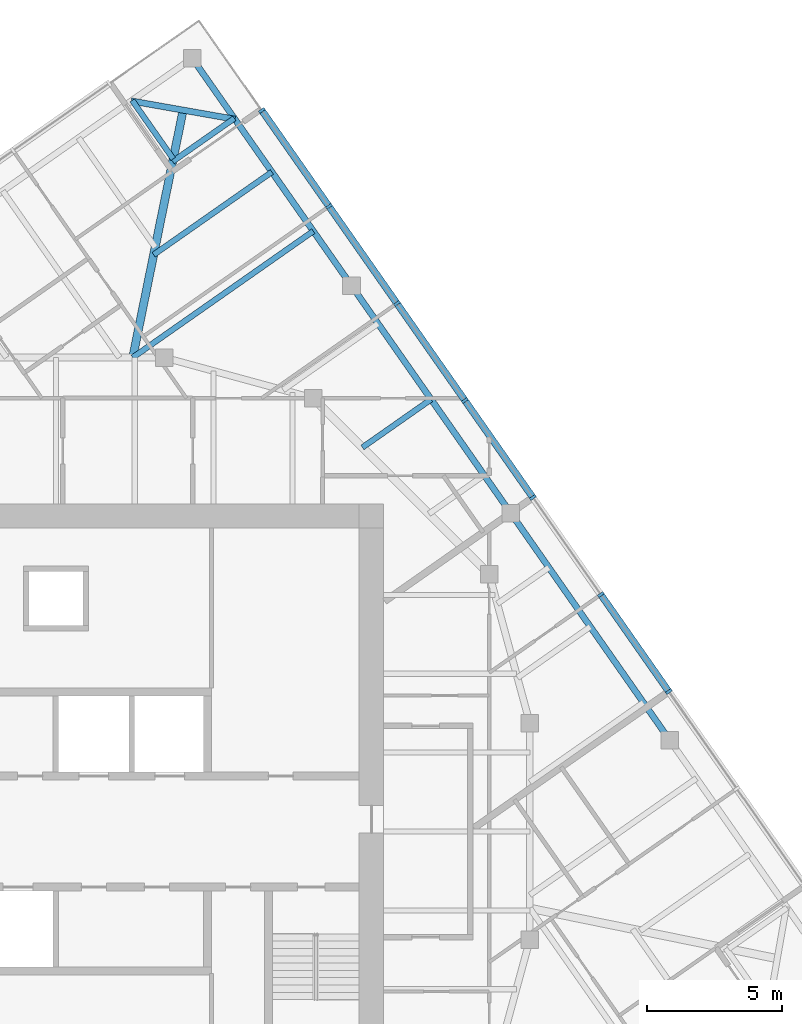
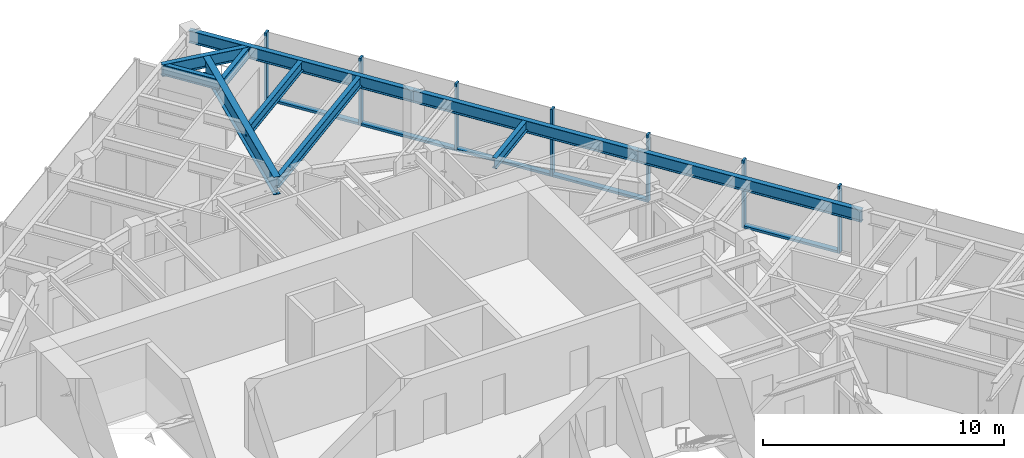
# One storey, part 5 of 12: 12 members, 10 beams, 1 element without a shape of its own.
"""IFC4 building model written with IfcOpenShell, lengths in metres."""

from ifc_helpers import new_model, si_unit, direction, frame, origin, origin_2d, place, context, subcontext, project, spatial, rectangle, i_section, extrude, material, material_profile, profile_set, type_object, element, aggregate, save


model = new_model("IFC4")

# Units and contexts
model_context = context("Model", 3, precision=1e-05, world=origin(), true_north=direction((0.0, 1.0)))
body_context = subcontext(model_context, "Body", "Model", "MODEL_VIEW")
ifc_project = project(units=[si_unit("LENGTHUNIT", "METRE"), si_unit("AREAUNIT", "SQUARE_METRE"), si_unit("VOLUMEUNIT", "CUBIC_METRE"), si_unit("PLANEANGLEUNIT", "RADIAN"), si_unit("MASSUNIT", "GRAM", prefix="KILO")], contexts=[model_context])

# Site, building, storey
site_placement = place(None, origin())
site = spatial("IfcSite", under=ifc_project, at=site_placement, CompositionType="ELEMENT")
building_placement = place(site_placement, origin())
building = spatial("IfcBuilding", under=site, at=building_placement, Name="Torsade Residences", CompositionType="ELEMENT")
storey_placement = place(building_placement, frame((0.0, 0.0, 254.0)))
storey = spatial("IfcBuildingStorey", under=building, at=storey_placement, Name="L70", CompositionType="ELEMENT", Elevation=254.0)

# Beams
ifc_material_1 = material(Name="Steel grade 300", Category="steel")
ifc_material_profile_1 = material_profile(ifc_material_1, i_section(OverallWidth=0.300048828125, OverallDepth=0.89990234375, WebThickness=0.011962890625, FlangeThickness=0.02490234375, at=origin_2d()), Name="900WB175")
ifc_profile_set_1 = profile_set([ifc_material_profile_1], Name="Steel grade 300")
beam_type_1 = type_object("IfcBeamType", Name="CORNER GIRDER 900WB175", PredefinedType="BEAM", material=ifc_profile_set_1)
beam_1_placement = place(storey_placement, frame((44.696533203125, 56.635986328125, 2.800048828125), z_axis=(-0.199584461589, -0.979880626756, 0.0), x_axis=(0.979880626756, -0.199584461589, 0.0)))
element("IfcBeam", 1, at=beam_1_placement, inside=storey, type_object=beam_type_1, Name="Corner girder 09 L71", PredefinedType="BEAM", context=body_context, shape_type="SweptSolid", body=[
    extrude(i_section(OverallWidth=0.300048828125, OverallDepth=0.89990234375, WebThickness=0.011962890625, FlangeThickness=0.02490234375, at=origin_2d()), origin(), (0.0, 0.0, 1.0), 9.323486328125),
])
ifc_material_2 = material(Name="Steel grade 300", Category="steel")
ifc_material_profile_2 = material_profile(ifc_material_2, i_section(OverallWidth=0.22802734375, OverallDepth=0.60205078125, WebThickness=0.010498046875, FlangeThickness=0.014892578125, FilletRadius=0.013916015625, at=origin_2d()), Name="610UB101")
ifc_profile_set_2 = profile_set([ifc_material_profile_2], Name="Steel grade 300")
beam_type_2 = type_object("IfcBeamType", Name="CORNER TRIMMER 610UB101", PredefinedType="BEAM", material=ifc_profile_set_2)
beam_2_placement = place(storey_placement, frame((42.78173828125, 56.9736328125, 2.948974609375), z_axis=(0.984808196894, -0.173645660267, 0.0), x_axis=(0.173645660267, 0.984808196894, 0.0)))
element("IfcBeam", 2, at=beam_2_placement, inside=storey, type_object=beam_type_2, Name="Corner trimmer 09 L71", PredefinedType="BEAM", context=body_context, shape_type="SweptSolid", body=[
    extrude(i_section(OverallWidth=0.22802734375, OverallDepth=0.60205078125, WebThickness=0.010498046875, FlangeThickness=0.014892578125, FilletRadius=0.013916015625, at=origin_2d()), origin(), (0.0, 0.0, 1.0), 3.888916015625),
])
ifc_material_3 = material(Name="Steel grade 300", Category="steel")
ifc_material_profile_3 = material_profile(ifc_material_3, i_section(OverallWidth=0.22900390625, OverallDepth=0.612060546875, WebThickness=0.011962890625, FlangeThickness=0.01953125, FilletRadius=0.013916015625, at=origin_2d()), Name="610UB125")
ifc_profile_set_3 = profile_set([ifc_material_profile_3], Name="Steel grade 300")
beam_type_3 = type_object("IfcBeamType", Name="EDGE BEAM 610UB125", PredefinedType="SPANDREL", material=ifc_profile_set_3)
for number, where, z_axis, x_axis, name in (
    (3, (62.671875, 33.362060546875, 2.944091796875), (-0.573579034377, 0.819150225126, 0.0), (-0.819150225126, -0.573579034377, 0.0), "Edge beam 06 L71"),
    (4, (56.792724609375, 41.75830078125, 2.944091796875), (-0.573579034377, 0.819150225126, 0.0), (-0.819150225126, -0.573579034377, 0.0), "Edge beam 07 L71"),
):
    element("IfcBeam", number, at=place(storey_placement, frame(where, z_axis=z_axis, x_axis=x_axis)), inside=storey, type_object=beam_type_3, Name=name, PredefinedType="SPANDREL", context=body_context, shape_type="SweptSolid", body=[
        extrude(i_section(OverallWidth=0.22900390625, OverallDepth=0.612060546875, WebThickness=0.011962890625, FlangeThickness=0.01953125, FilletRadius=0.013916015625, at=origin_2d()), origin(), (0.0, 0.0, 1.0), 10.25),
    ])
beam_3_placement = place(storey_placement, frame((50.91357421875, 50.154541015625, 2.944091796875), z_axis=(-0.573583825578, 0.819146870247, 0.0), x_axis=(-0.819146870247, -0.573583825578, 0.0)))
element("IfcBeam", 5, at=beam_3_placement, inside=storey, type_object=beam_type_3, Name="Edge beam 08 L71", PredefinedType="SPANDREL", context=body_context, shape_type="SweptSolid", body=[
    extrude(i_section(OverallWidth=0.22900390625, OverallDepth=0.612060546875, WebThickness=0.011962890625, FlangeThickness=0.01953125, FilletRadius=0.013916015625, at=origin_2d()), origin(), (0.0, 0.0, 1.0), 10.250244140625),
])

# Curtain wall, members
ifc_material_4 = material(Name="Aluminium and glass", Category="aluminium")
curtain_wall_type = type_object("IfcCurtainWallType", Name="FRITTED GLASS CURTAIN WALL HIGH ZONE", PredefinedType="NOTDEFINED", material=ifc_material_4)
curtain_wall_placement = place(storey_placement, origin())
curtain_wall = element("IfcCurtainWall", 6, at=curtain_wall_placement, inside=storey, type_object=curtain_wall_type, Name="Curtain wall L70 face 4", PredefinedType="NOTDEFINED")
ifc_material_5 = material(Name="Aluminium mullion", Category="aluminium")
ifc_material_profile_4 = material_profile(ifc_material_5, rectangle(XDim=0.25, YDim=0.10009765625, at=origin_2d()), Name="HIGH ZONE CURTAIN WALL MULLION 250x100")
ifc_profile_set_4 = profile_set([ifc_material_profile_4], Name="Aluminium mullion")
member_type_1 = type_object("IfcMemberType", Name="HIGH ZONE CURTAIN WALL MULLION 250x100", PredefinedType="MULLION", material=ifc_profile_set_4)
member_1_placement = place(storey_placement, frame((62.630615234375, 35.164306640625, 0.0), z_axis=(0.0, 0.0, 1.0), x_axis=(-0.819152029353, -0.573576457682, 0.0)))
member_1 = element("IfcMember", 7, at=member_1_placement, type_object=member_type_1, Name="Mullion 3", PredefinedType="MULLION", context=body_context, shape_type="SweptSolid", body=[
    extrude(rectangle(XDim=0.25, YDim=0.10009765625, at=origin_2d()), origin(), (0.0, 0.0, 1.0), 3.39990234375),
])
member_2_placement = place(storey_placement, frame((60.12109375, 38.748046875, 0.0), z_axis=(0.0, 0.0, 1.0), x_axis=(-0.819152029353, -0.573576457682, 0.0)))
member_2 = element("IfcMember", 8, at=member_2_placement, type_object=member_type_1, Name="Mullion 4", PredefinedType="MULLION", context=body_context, shape_type="SweptSolid", body=[
    extrude(rectangle(XDim=0.25, YDim=0.10009765625, at=origin_2d()), origin(), (0.0, 0.0, 1.0), 3.39990234375),
])
member_3_placement = place(storey_placement, frame((57.61181640625, 42.331787109375, 0.0), z_axis=(0.0, 0.0, 1.0), x_axis=(-0.819152029353, -0.573576457682, 0.0)))
member_3 = element("IfcMember", 9, at=member_3_placement, type_object=member_type_1, Name="Mullion 5", PredefinedType="MULLION", context=body_context, shape_type="SweptSolid", body=[
    extrude(rectangle(XDim=0.25, YDim=0.10009765625, at=origin_2d()), origin(), (0.0, 0.0, 1.0), 3.39990234375),
])
member_4_placement = place(storey_placement, frame((55.102294921875, 45.915771484375, 0.0), z_axis=(0.0, 0.0, 1.0), x_axis=(-0.819152029353, -0.573576457682, 0.0)))
member_4 = element("IfcMember", 10, at=member_4_placement, type_object=member_type_1, Name="Mullion 6", PredefinedType="MULLION", context=body_context, shape_type="SweptSolid", body=[
    extrude(rectangle(XDim=0.25, YDim=0.10009765625, at=origin_2d()), origin(), (0.0, 0.0, 1.0), 3.39990234375),
])
member_5_placement = place(storey_placement, frame((52.593017578125, 49.49951171875, 0.0), z_axis=(0.0, 0.0, 1.0), x_axis=(-0.819152029353, -0.573576457682, 0.0)))
member_5 = element("IfcMember", 11, at=member_5_placement, type_object=member_type_1, Name="Mullion 7", PredefinedType="MULLION", context=body_context, shape_type="SweptSolid", body=[
    extrude(rectangle(XDim=0.25, YDim=0.10009765625, at=origin_2d()), origin(), (0.0, 0.0, 1.0), 3.39990234375),
])
member_6_placement = place(storey_placement, frame((50.08349609375, 53.083251953125, 0.0), z_axis=(0.0, 0.0, 1.0), x_axis=(-0.819152029353, -0.573576457682, 0.0)))
member_6 = element("IfcMember", 12, at=member_6_placement, type_object=member_type_1, Name="Mullion 8", PredefinedType="MULLION", context=body_context, shape_type="SweptSolid", body=[
    extrude(rectangle(XDim=0.25, YDim=0.10009765625, at=origin_2d()), origin(), (0.0, 0.0, 1.0), 3.39990234375),
])
member_7_placement = place(storey_placement, frame((47.602783203125, 56.6259765625, 0.0), z_axis=(0.0, 0.0, 1.0), x_axis=(-0.819152029353, -0.573576457682, 0.0)))
member_7 = element("IfcMember", 13, at=member_7_placement, type_object=member_type_1, Name="Mullion 9", PredefinedType="MULLION", context=body_context, shape_type="SweptSolid", body=[
    extrude(rectangle(XDim=0.25, YDim=0.10009765625, at=origin_2d()), origin(), (0.0, 0.0, 1.0), 3.39990234375),
])
ifc_material_6 = material(Name="Aluminium transom", Category="aluminium")
ifc_material_profile_5 = material_profile(ifc_material_6, rectangle(XDim=0.25, YDim=0.1201171875, at=origin_2d()), Name="HIGH ZONE CURTAIN WALL TRANSOM 250x120")
ifc_profile_set_5 = profile_set([ifc_material_profile_5], Name="Aluminium transom")
member_type_2 = type_object("IfcMemberType", Name="HIGH ZONE CURTAIN WALL TRANSOM 250x120", PredefinedType="USERDEFINED", material=ifc_profile_set_5)
member_8_placement = place(storey_placement, frame((62.601806640625, 35.205322265625, 0.06005859375), z_axis=(-0.573573496219, 0.819154102984, 0.0), x_axis=(-0.819154102984, -0.573573496219, 0.0)))
member_8 = element("IfcMember", 14, at=member_8_placement, type_object=member_type_2, Name="Transom 3.1", ObjectType="TRANSOM", PredefinedType="USERDEFINED", context=body_context, shape_type="SweptSolid", body=[
    extrude(rectangle(XDim=0.25, YDim=0.1201171875, at=origin_2d()), origin(), (0.0, 0.0, 1.0), 4.27490234375),
])
member_9_placement = place(storey_placement, frame((57.5830078125, 42.372802734375, 0.06005859375), z_axis=(-0.573546663483, 0.81917289067, 0.0), x_axis=(-0.81917289067, -0.573546663483, 0.0)))
member_9 = element("IfcMember", 15, at=member_9_placement, type_object=member_type_2, Name="Transom 5.1", ObjectType="TRANSOM", PredefinedType="USERDEFINED", context=body_context, shape_type="SweptSolid", body=[
    extrude(rectangle(XDim=0.25, YDim=0.1201171875, at=origin_2d()), origin(), (0.0, 0.0, 1.0), 4.27490234375),
])
member_10_placement = place(storey_placement, frame((55.07373046875, 45.95654296875, 0.06005859375), z_axis=(-0.57358498433, 0.819146058863, 0.0), x_axis=(-0.819146058863, -0.57358498433, 0.0)))
member_10 = element("IfcMember", 16, at=member_10_placement, type_object=member_type_2, Name="Transom 6.1", ObjectType="TRANSOM", PredefinedType="USERDEFINED", context=body_context, shape_type="SweptSolid", body=[
    extrude(rectangle(XDim=0.25, YDim=0.1201171875, at=origin_2d()), origin(), (0.0, 0.0, 1.0), 4.275146484375),
])
member_11_placement = place(storey_placement, frame((52.564208984375, 49.54052734375, 0.06005859375), z_axis=(-0.573573496219, 0.819154102984, 0.0), x_axis=(-0.819154102984, -0.573573496219, 0.0)))
member_11 = element("IfcMember", 17, at=member_11_placement, type_object=member_type_2, Name="Transom 7.1", ObjectType="TRANSOM", PredefinedType="USERDEFINED", context=body_context, shape_type="SweptSolid", body=[
    extrude(rectangle(XDim=0.25, YDim=0.1201171875, at=origin_2d()), origin(), (0.0, 0.0, 1.0), 4.27490234375),
])
member_12_placement = place(storey_placement, frame((50.054931640625, 53.124267578125, 0.06005859375), z_axis=(-0.573570928023, 0.819155901234, 0.0), x_axis=(-0.819155901234, -0.573570928023, 0.0)))
member_12 = element("IfcMember", 18, at=member_12_placement, type_object=member_type_2, Name="Transom 8.1", ObjectType="TRANSOM", PredefinedType="USERDEFINED", context=body_context, shape_type="SweptSolid", body=[
    extrude(rectangle(XDim=0.25, YDim=0.1201171875, at=origin_2d()), origin(), (0.0, 0.0, 1.0), 4.22509765625),
])
aggregate(curtain_wall, [member_1, member_2, member_3, member_4, member_5, member_6, member_7, member_8, member_9, member_10, member_11, member_12])

# Beams
ifc_material_7 = material(Name="Steel grade 300", Category="steel")
ifc_material_profile_6 = material_profile(ifc_material_7, i_section(OverallWidth=0.208984375, OverallDepth=0.532958984375, WebThickness=0.01025390625, FlangeThickness=0.015625, FilletRadius=0.013916015625, at=origin_2d()), Name="530UB92.4")
ifc_profile_set_6 = profile_set([ifc_material_profile_6], Name="Steel grade 300")
beam_type_4 = type_object("IfcBeamType", Name="SECONDARY BEAM 530UB92.4", PredefinedType="JOIST", material=ifc_profile_set_6)
beam_4_placement = place(storey_placement, frame((53.85302734375, 45.95654296875, 2.9833984375), z_axis=(-0.819135534955, -0.573600013401, 0.0), x_axis=(0.573600013401, -0.819135534955, 0.0)))
element("IfcBeam", 19, at=beam_4_placement, inside=storey, type_object=beam_type_4, Name="Floor beam FE08 L71", PredefinedType="JOIST", context=body_context, shape_type="SweptSolid", body=[
    extrude(i_section(OverallWidth=0.208984375, OverallDepth=0.532958984375, WebThickness=0.01025390625, FlangeThickness=0.015625, FilletRadius=0.013916015625, at=origin_2d()), origin(), (0.0, 0.0, 1.0), 3.09423828125),
])
beam_5_placement = place(storey_placement, frame((49.50341796875, 52.16845703125, 2.9833984375), z_axis=(-0.819151588523, -0.573577087251, 0.0), x_axis=(0.573577087251, -0.819151588523, 0.0)))
element("IfcBeam", 20, at=beam_5_placement, inside=storey, type_object=beam_type_4, Name="Floor beam FE10 L71", PredefinedType="JOIST", context=body_context, shape_type="SweptSolid", body=[
    extrude(i_section(OverallWidth=0.208984375, OverallDepth=0.532958984375, WebThickness=0.01025390625, FlangeThickness=0.015625, FilletRadius=0.013916015625, at=origin_2d()), origin(), (0.0, 0.0, 1.0), 8.13916015625),
])
beam_6_placement = place(storey_placement, frame((47.973876953125, 54.352783203125, 2.9833984375), z_axis=(-0.819137197966, -0.573597638513, 0.0), x_axis=(0.573597638513, -0.819137197966, 0.0)))
element("IfcBeam", 21, at=beam_6_placement, inside=storey, type_object=beam_type_4, Name="Floor beam FE11 L71", PredefinedType="JOIST", context=body_context, shape_type="SweptSolid", body=[
    extrude(i_section(OverallWidth=0.208984375, OverallDepth=0.532958984375, WebThickness=0.01025390625, FlangeThickness=0.015625, FilletRadius=0.013916015625, at=origin_2d()), origin(), (0.0, 0.0, 1.0), 5.328369140625),
])
beam_7_placement = place(storey_placement, frame((46.587646484375, 56.332275390625, 2.9833984375), z_axis=(-0.819190669238, -0.573521270253, 0.0), x_axis=(0.573521270253, -0.819190669238, 0.0)))
element("IfcBeam", 22, at=beam_7_placement, inside=storey, type_object=beam_type_4, Name="Floor beam FE12 L71", PredefinedType="JOIST", context=body_context, shape_type="SweptSolid", body=[
    extrude(i_section(OverallWidth=0.208984375, OverallDepth=0.532958984375, WebThickness=0.01025390625, FlangeThickness=0.015625, FilletRadius=0.013916015625, at=origin_2d()), origin(), (0.0, 0.0, 1.0), 2.780517578125),
])
beam_8_placement = place(storey_placement, frame((42.815673828125, 56.99755859375, 2.9833984375), z_axis=(0.573592685254, -0.819140666445, 0.0), x_axis=(0.819140666445, 0.573592685254, 0.0)))
element("IfcBeam", 23, at=beam_8_placement, inside=storey, type_object=beam_type_4, Name="Floor beam FN01 L71", PredefinedType="JOIST", context=body_context, shape_type="SweptSolid", body=[
    extrude(i_section(OverallWidth=0.208984375, OverallDepth=0.532958984375, WebThickness=0.01025390625, FlangeThickness=0.015625, FilletRadius=0.013916015625, at=origin_2d()), origin(), (0.0, 0.0, 1.0), 2.639892578125),
])

save(model, "model.ifc")
